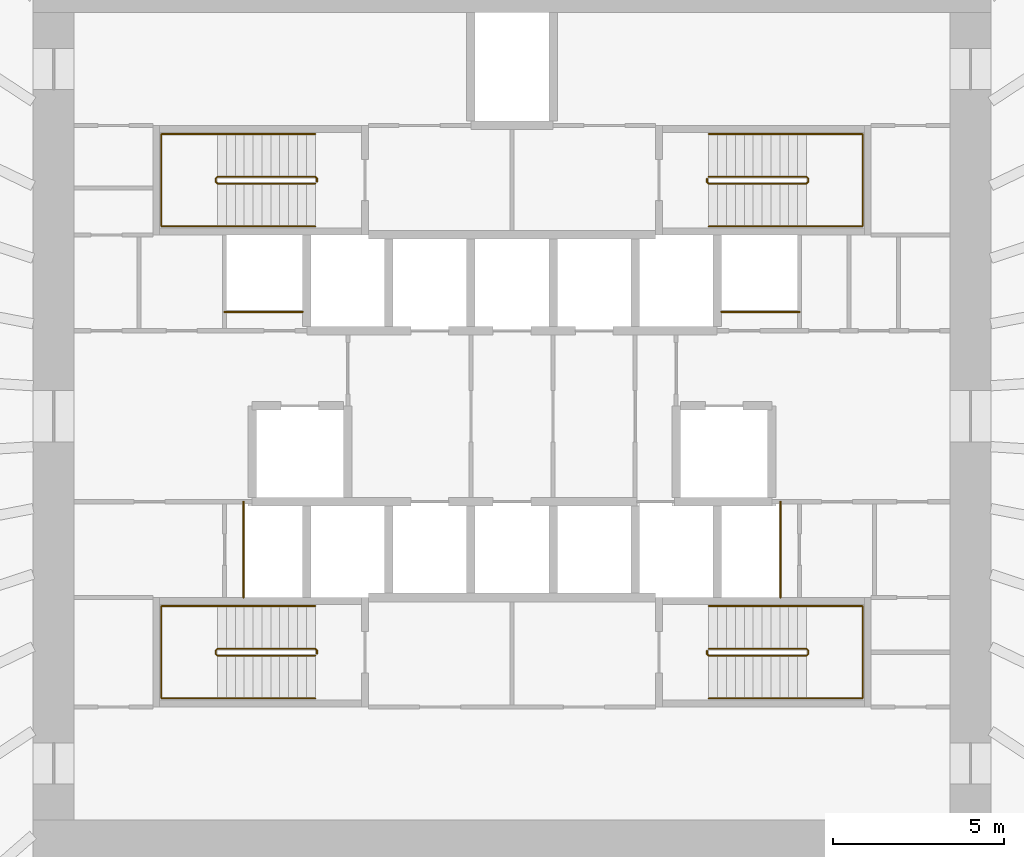
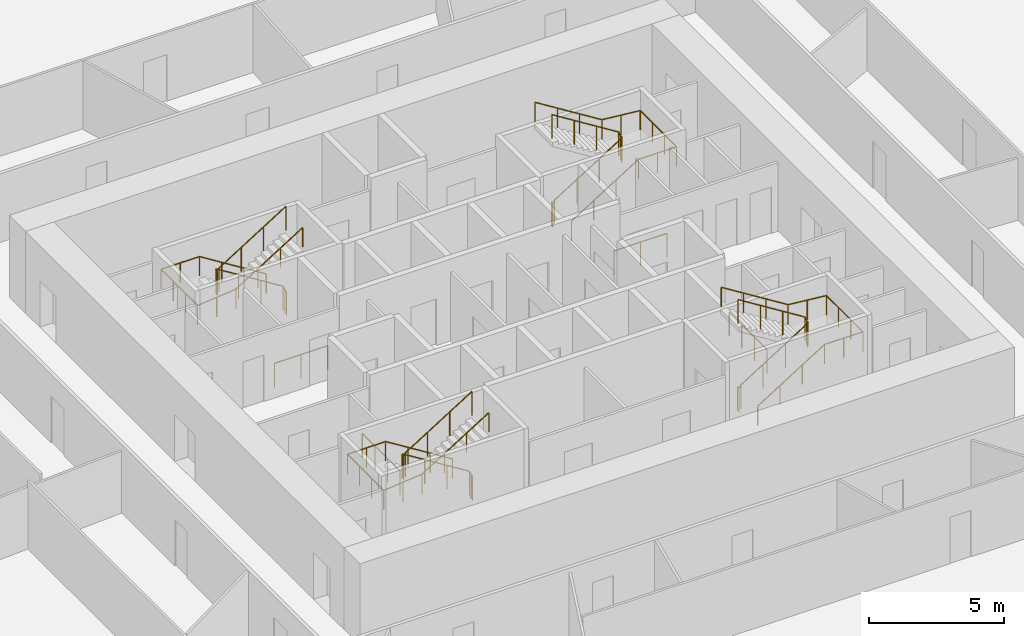
# One storey, part 10 of 10: 12 railings.
"""IFC4 building model written with IfcOpenShell, lengths in metres."""

from ifc_helpers import new_model, si_unit, direction, frame, origin, origin_2d, place, context, subcontext, project, spatial, circle, extrude, source, transform, mapped, material, type_object, element, save


model = new_model("IFC4")

# Units and contexts
model_context = context("Model", 3, precision=1e-05, world=origin(), true_north=direction((0.0, 1.0)))
body_context = subcontext(model_context, "Body", "Model", "MODEL_VIEW")
ifc_project = project(units=[si_unit("LENGTHUNIT", "METRE"), si_unit("AREAUNIT", "SQUARE_METRE"), si_unit("VOLUMEUNIT", "CUBIC_METRE"), si_unit("PLANEANGLEUNIT", "RADIAN"), si_unit("MASSUNIT", "GRAM", prefix="KILO")], contexts=[model_context])

# Site, building, storey
site_placement = place(None, origin())
site = spatial("IfcSite", under=ifc_project, at=site_placement, CompositionType="ELEMENT")
building_placement = place(site_placement, origin())
building = spatial("IfcBuilding", under=site, at=building_placement, Name="Embergate Tower", CompositionType="ELEMENT")
storey_placement = place(building_placement, frame((0.0, 0.0, 89.300048828125)))
storey = spatial("IfcBuildingStorey", under=building, at=storey_placement, Name="L18", CompositionType="ELEMENT", Elevation=89.300048828125)

# Railings
ifc_material_1 = material(Name="Stair guard 1100")
railing_type_1 = type_object("IfcRailingType", Name="Stair guard 1100", PredefinedType="GUARDRAIL", material=ifc_material_1)
shared_shape_1 = source(origin(), body_context, "Body", "SweptSolid", [
    extrude(circle(Radius=0.02392578125, at=origin_2d()), frame((0.0, 0.0, 1.076171875), z_axis=(0.0, 1.0, 0.0), x_axis=(-1.0, 0.0, 0.0)), (0.0, 0.0, 1.0), 0.099853515625),
    extrude(circle(Radius=0.02392578125, at=origin_2d()), frame((0.0, 0.099853515625, 1.076171875), z_axis=(-0.282583949758, 0.282583949758, 0.916674763849), x_axis=(-0.707106781187, -0.707106781187, 0.0)), (0.0, 0.0, 1.0), 0.177001953125),
    extrude(circle(Radius=0.02392578125, at=origin_2d()), frame((-0.050048828125, 0.14990234375, 1.23828125), z_axis=(-0.847994237388, 0.0, 0.530005446535), x_axis=(0.0, -1.0, 0.0)), (0.0, 0.0, 1.0), 3.372802734375),
    extrude(circle(Radius=0.02392578125, at=origin_2d()), frame((-2.91015625, 0.14990234375, 3.02587890625), z_axis=(-0.705375805398, -0.708833529934, 0.0), x_axis=(0.708833529934, -0.705375805398, 0.0)), (0.0, 0.0, 1.0), 0.070556640625),
    extrude(circle(Radius=0.02392578125, at=origin_2d()), frame((-2.9599609375, 0.099853515625, 3.02587890625), z_axis=(0.0, -1.0, 0.0), x_axis=(1.0, 0.0, 0.0)), (0.0, 0.0, 1.0), 0.099853515625),
    extrude(circle(Radius=0.02392578125, at=origin_2d()), frame((-2.9599609375, 0.0, 3.02587890625), z_axis=(0.280959487676, -0.282336740067, 0.917250092119), x_axis=(0.708833529934, 0.705375805398, 0.0)), (0.0, 0.0, 1.0), 0.17724609375),
    extrude(circle(Radius=0.02392578125, at=origin_2d()), frame((-2.91015625, -0.050048828125, 3.1884765625), z_axis=(0.848026770018, 0.0, 0.529953391661), x_axis=(0.0, 1.0, 0.0)), (0.0, 0.0, 1.0), 3.37255859375),
    extrude(circle(Radius=0.02099609375, at=origin_2d()), origin(), (0.0, 0.0, 1.0), 1.052001953125),
    extrude(circle(Radius=0.02099609375, at=origin_2d()), frame((0.0, 0.099853515625, 0.0)), (0.0, 0.0, 1.0), 1.052001953125),
    extrude(circle(Radius=0.02099609375, at=origin_2d()), frame((-0.050048828125, 0.14990234375, 0.162353515625)), (0.0, 0.0, 1.0), 1.052001953125),
    extrude(circle(Radius=0.02099609375, at=origin_2d()), frame((-1.00341796875, 0.14990234375, 0.75830078125)), (0.0, 0.0, 1.0), 1.052001953125),
    extrude(circle(Radius=0.02099609375, at=origin_2d()), frame((-1.956787109375, 0.14990234375, 1.35400390625)), (0.0, 0.0, 1.0), 1.052001953125),
    extrude(circle(Radius=0.02099609375, at=origin_2d()), frame((-2.91015625, 0.14990234375, 1.949951171875)), (0.0, 0.0, 1.0), 1.052001953125),
    extrude(circle(Radius=0.02099609375, at=origin_2d()), frame((-2.9599609375, 0.099853515625, 1.949951171875)), (0.0, 0.0, 1.0), 1.052001953125),
    extrude(circle(Radius=0.02099609375, at=origin_2d()), frame((-2.9599609375, 0.0, 1.949951171875)), (0.0, 0.0, 1.0), 1.052001953125),
    extrude(circle(Radius=0.02099609375, at=origin_2d()), frame((-2.91015625, -0.050048828125, 2.112548828125)), (0.0, 0.0, 1.0), 1.052001953125),
    extrude(circle(Radius=0.02099609375, at=origin_2d()), frame((-1.956787109375, -0.050048828125, 2.708251953125)), (0.0, 0.0, 1.0), 1.052001953125),
    extrude(circle(Radius=0.02099609375, at=origin_2d()), frame((-1.00341796875, -0.050048828125, 3.30419921875)), (0.0, 0.0, 1.0), 1.052001953125),
    extrude(circle(Radius=0.02099609375, at=origin_2d()), frame((-0.050048828125, -0.050048828125, 3.89990234375)), (0.0, 0.0, 1.0), 1.052001953125),
])
for number, where, name in (
    (1, (-5.699951171875, 6.85009765625, 0.0), "L18 ST1 stair guard 1"),
    (2, (-5.699951171875, -6.949951171875, 0.0), "L18 ST3 stair guard 1"),
):
    element("IfcRailing", number, at=place(storey_placement, frame(where)), inside=storey, type_object=railing_type_1, Name=name, PredefinedType="GUARDRAIL", context=body_context, shape_type="MappedRepresentation", body=[
        mapped(shared_shape_1, transform((0.0, 0.0, 0.0))),
    ])
ifc_material_2 = material(Name="Stair handrail 900")
railing_type_2 = type_object("IfcRailingType", Name="Stair handrail 900", PredefinedType="HANDRAIL", material=ifc_material_2)
shared_shape_2 = source(origin(), body_context, "Body", "SweptSolid", [
    extrude(circle(Radius=0.02392578125, at=origin_2d()), frame((0.0, 0.0, 0.8759765625), z_axis=(-0.847994237388, 0.0, 0.530005446535), x_axis=(0.0, -1.0, 0.0)), (0.0, 0.0, 1.0), 3.372802734375),
    extrude(circle(Radius=0.02392578125, at=origin_2d()), frame((-2.860107421875, 0.0, 2.66357421875), z_axis=(-1.0, 0.0, 0.0), x_axis=(0.0, -1.0, 0.0)), (0.0, 0.0, 1.0), 1.639892578125),
    extrude(circle(Radius=0.02392578125, at=origin_2d()), frame((-4.5, 0.0, 2.66357421875), z_axis=(0.0, -1.0, 0.0), x_axis=(1.0, 0.0, 0.0)), (0.0, 0.0, 1.0), 2.699951171875),
    extrude(circle(Radius=0.02392578125, at=origin_2d()), frame((-4.5, -2.699951171875, 2.66357421875), z_axis=(0.995120448088, 0.0, 0.098667592441), x_axis=(0.0, 1.0, 0.0)), (0.0, 0.0, 1.0), 1.64794921875),
    extrude(circle(Radius=0.02392578125, at=origin_2d()), frame((-2.860107421875, -2.699951171875, 2.826171875), z_axis=(0.848026770018, 0.0, 0.529953391661), x_axis=(0.0, 1.0, 0.0)), (0.0, 0.0, 1.0), 3.37255859375),
    extrude(circle(Radius=0.02099609375, at=origin_2d()), origin(), (0.0, 0.0, 1.0), 0.851806640625),
    extrude(circle(Radius=0.02099609375, at=origin_2d()), frame((-0.953369140625, 0.0, 0.595947265625)), (0.0, 0.0, 1.0), 0.851806640625),
    extrude(circle(Radius=0.02099609375, at=origin_2d()), frame((-1.90673828125, 0.0, 1.191650390625)), (0.0, 0.0, 1.0), 0.851806640625),
    extrude(circle(Radius=0.02099609375, at=origin_2d()), frame((-2.860107421875, 0.0, 1.78759765625)), (0.0, 0.0, 1.0), 0.851806640625),
    extrude(circle(Radius=0.02099609375, at=origin_2d()), frame((-3.68017578125, 0.0, 1.78759765625)), (0.0, 0.0, 1.0), 0.851806640625),
    extrude(circle(Radius=0.02099609375, at=origin_2d()), frame((-4.5, 0.0, 1.78759765625)), (0.0, 0.0, 1.0), 0.851806640625),
    extrude(circle(Radius=0.02099609375, at=origin_2d()), frame((-4.5, -0.89990234375, 1.78759765625)), (0.0, 0.0, 1.0), 0.851806640625),
    extrude(circle(Radius=0.02099609375, at=origin_2d()), frame((-4.5, -1.800048828125, 1.78759765625)), (0.0, 0.0, 1.0), 0.851806640625),
    extrude(circle(Radius=0.02099609375, at=origin_2d()), frame((-4.5, -2.699951171875, 1.78759765625)), (0.0, 0.0, 1.0), 0.851806640625),
    extrude(circle(Radius=0.02099609375, at=origin_2d()), frame((-3.68017578125, -2.699951171875, 1.868896484375)), (0.0, 0.0, 1.0), 0.851806640625),
    extrude(circle(Radius=0.02099609375, at=origin_2d()), frame((-2.860107421875, -2.699951171875, 1.9501953125)), (0.0, 0.0, 1.0), 0.851806640625),
    extrude(circle(Radius=0.02099609375, at=origin_2d()), frame((-1.90673828125, -2.699951171875, 2.5458984375)), (0.0, 0.0, 1.0), 0.851806640625),
    extrude(circle(Radius=0.02099609375, at=origin_2d()), frame((-0.953369140625, -2.699951171875, 3.141845703125)), (0.0, 0.0, 1.0), 0.851806640625),
    extrude(circle(Radius=0.02099609375, at=origin_2d()), frame((0.0, -2.699951171875, 3.737548828125)), (0.0, 0.0, 1.0), 0.851806640625),
])
for number, where, name in (
    (3, (-5.75, 8.25, 0.162353515625), "L18 ST1 stair handrail 1"),
    (4, (-5.75, -5.550048828125, 0.162353515625), "L18 ST3 stair handrail 1"),
):
    element("IfcRailing", number, at=place(storey_placement, frame(where)), inside=storey, type_object=railing_type_2, Name=name, PredefinedType="HANDRAIL", context=body_context, shape_type="MappedRepresentation", body=[
        mapped(shared_shape_2, transform((0.0, 0.0, 0.0))),
    ])
shared_shape_3 = source(origin(), body_context, "Body", "SweptSolid", [
    extrude(circle(Radius=0.02392578125, at=origin_2d()), frame((0.0, 0.0, 1.076171875), z_axis=(0.0, -1.0, 0.0), x_axis=(1.0, 0.0, 0.0)), (0.0, 0.0, 1.0), 0.099853515625),
    extrude(circle(Radius=0.02392578125, at=origin_2d()), frame((0.0, -0.099853515625, 1.076171875), z_axis=(0.282583949758, -0.282583949758, 0.916674763849), x_axis=(0.707106781187, 0.707106781187, 0.0)), (0.0, 0.0, 1.0), 0.177001953125),
    extrude(circle(Radius=0.02392578125, at=origin_2d()), frame((0.050048828125, -0.14990234375, 1.23828125), z_axis=(0.847994237388, 0.0, 0.530005446535), x_axis=(0.0, 1.0, 0.0)), (0.0, 0.0, 1.0), 3.372802734375),
    extrude(circle(Radius=0.02392578125, at=origin_2d()), frame((2.91015625, -0.14990234375, 3.02587890625), z_axis=(0.705375805398, 0.708833529934, 0.0), x_axis=(-0.708833529934, 0.705375805398, 0.0)), (0.0, 0.0, 1.0), 0.070556640625),
    extrude(circle(Radius=0.02392578125, at=origin_2d()), frame((2.9599609375, -0.099853515625, 3.02587890625), z_axis=(0.0, 1.0, 0.0), x_axis=(-1.0, 0.0, 0.0)), (0.0, 0.0, 1.0), 0.099853515625),
    extrude(circle(Radius=0.02392578125, at=origin_2d()), frame((2.9599609375, 0.0, 3.02587890625), z_axis=(-0.280959487676, 0.282336740067, 0.917250092119), x_axis=(-0.708833529934, -0.705375805398, 0.0)), (0.0, 0.0, 1.0), 0.17724609375),
    extrude(circle(Radius=0.02392578125, at=origin_2d()), frame((2.91015625, 0.050048828125, 3.1884765625), z_axis=(-0.848026770018, 0.0, 0.529953391661), x_axis=(0.0, -1.0, 0.0)), (0.0, 0.0, 1.0), 3.37255859375),
    extrude(circle(Radius=0.02099609375, at=origin_2d()), origin(), (0.0, 0.0, 1.0), 1.052001953125),
    extrude(circle(Radius=0.02099609375, at=origin_2d()), frame((0.0, -0.099853515625, 0.0)), (0.0, 0.0, 1.0), 1.052001953125),
    extrude(circle(Radius=0.02099609375, at=origin_2d()), frame((0.050048828125, -0.14990234375, 0.162353515625)), (0.0, 0.0, 1.0), 1.052001953125),
    extrude(circle(Radius=0.02099609375, at=origin_2d()), frame((1.00341796875, -0.14990234375, 0.75830078125)), (0.0, 0.0, 1.0), 1.052001953125),
    extrude(circle(Radius=0.02099609375, at=origin_2d()), frame((1.956787109375, -0.14990234375, 1.35400390625)), (0.0, 0.0, 1.0), 1.052001953125),
    extrude(circle(Radius=0.02099609375, at=origin_2d()), frame((2.91015625, -0.14990234375, 1.949951171875)), (0.0, 0.0, 1.0), 1.052001953125),
    extrude(circle(Radius=0.02099609375, at=origin_2d()), frame((2.9599609375, -0.099853515625, 1.949951171875)), (0.0, 0.0, 1.0), 1.052001953125),
    extrude(circle(Radius=0.02099609375, at=origin_2d()), frame((2.9599609375, 0.0, 1.949951171875)), (0.0, 0.0, 1.0), 1.052001953125),
    extrude(circle(Radius=0.02099609375, at=origin_2d()), frame((2.91015625, 0.050048828125, 2.112548828125)), (0.0, 0.0, 1.0), 1.052001953125),
    extrude(circle(Radius=0.02099609375, at=origin_2d()), frame((1.956787109375, 0.050048828125, 2.708251953125)), (0.0, 0.0, 1.0), 1.052001953125),
    extrude(circle(Radius=0.02099609375, at=origin_2d()), frame((1.00341796875, 0.050048828125, 3.30419921875)), (0.0, 0.0, 1.0), 1.052001953125),
    extrude(circle(Radius=0.02099609375, at=origin_2d()), frame((0.050048828125, 0.050048828125, 3.89990234375)), (0.0, 0.0, 1.0), 1.052001953125),
])
for number, where, name in (
    (5, (5.699951171875, 6.949951171875, 0.0), "L18 ST2 stair guard 1"),
    (6, (5.699951171875, -6.85009765625, 0.0), "L18 ST4 stair guard 1"),
):
    element("IfcRailing", number, at=place(storey_placement, frame(where)), inside=storey, type_object=railing_type_1, Name=name, PredefinedType="GUARDRAIL", context=body_context, shape_type="MappedRepresentation", body=[
        mapped(shared_shape_3, transform((0.0, 0.0, 0.0))),
    ])
shared_shape_4 = source(origin(), body_context, "Body", "SweptSolid", [
    extrude(circle(Radius=0.02392578125, at=origin_2d()), frame((0.0, 0.0, 0.8759765625), z_axis=(0.847994237388, 0.0, 0.530005446535), x_axis=(0.0, 1.0, 0.0)), (0.0, 0.0, 1.0), 3.372802734375),
    extrude(circle(Radius=0.02392578125, at=origin_2d()), frame((2.860107421875, 0.0, 2.66357421875), z_axis=(1.0, 0.0, 0.0), x_axis=(0.0, 1.0, 0.0)), (0.0, 0.0, 1.0), 1.639892578125),
    extrude(circle(Radius=0.02392578125, at=origin_2d()), frame((4.5, 0.0, 2.66357421875), z_axis=(0.0, 1.0, 0.0), x_axis=(-1.0, 0.0, 0.0)), (0.0, 0.0, 1.0), 2.699951171875),
    extrude(circle(Radius=0.02392578125, at=origin_2d()), frame((4.5, 2.699951171875, 2.66357421875), z_axis=(-0.995120448088, 0.0, 0.098667592441), x_axis=(0.0, -1.0, 0.0)), (0.0, 0.0, 1.0), 1.64794921875),
    extrude(circle(Radius=0.02392578125, at=origin_2d()), frame((2.860107421875, 2.699951171875, 2.826171875), z_axis=(-0.848026770018, 0.0, 0.529953391661), x_axis=(0.0, -1.0, 0.0)), (0.0, 0.0, 1.0), 3.37255859375),
    extrude(circle(Radius=0.02099609375, at=origin_2d()), origin(), (0.0, 0.0, 1.0), 0.851806640625),
    extrude(circle(Radius=0.02099609375, at=origin_2d()), frame((0.953369140625, 0.0, 0.595947265625)), (0.0, 0.0, 1.0), 0.851806640625),
    extrude(circle(Radius=0.02099609375, at=origin_2d()), frame((1.90673828125, 0.0, 1.191650390625)), (0.0, 0.0, 1.0), 0.851806640625),
    extrude(circle(Radius=0.02099609375, at=origin_2d()), frame((2.860107421875, 0.0, 1.78759765625)), (0.0, 0.0, 1.0), 0.851806640625),
    extrude(circle(Radius=0.02099609375, at=origin_2d()), frame((3.68017578125, 0.0, 1.78759765625)), (0.0, 0.0, 1.0), 0.851806640625),
    extrude(circle(Radius=0.02099609375, at=origin_2d()), frame((4.5, 0.0, 1.78759765625)), (0.0, 0.0, 1.0), 0.851806640625),
    extrude(circle(Radius=0.02099609375, at=origin_2d()), frame((4.5, 0.89990234375, 1.78759765625)), (0.0, 0.0, 1.0), 0.851806640625),
    extrude(circle(Radius=0.02099609375, at=origin_2d()), frame((4.5, 1.800048828125, 1.78759765625)), (0.0, 0.0, 1.0), 0.851806640625),
    extrude(circle(Radius=0.02099609375, at=origin_2d()), frame((4.5, 2.699951171875, 1.78759765625)), (0.0, 0.0, 1.0), 0.851806640625),
    extrude(circle(Radius=0.02099609375, at=origin_2d()), frame((3.68017578125, 2.699951171875, 1.868896484375)), (0.0, 0.0, 1.0), 0.851806640625),
    extrude(circle(Radius=0.02099609375, at=origin_2d()), frame((2.860107421875, 2.699951171875, 1.9501953125)), (0.0, 0.0, 1.0), 0.851806640625),
    extrude(circle(Radius=0.02099609375, at=origin_2d()), frame((1.90673828125, 2.699951171875, 2.5458984375)), (0.0, 0.0, 1.0), 0.851806640625),
    extrude(circle(Radius=0.02099609375, at=origin_2d()), frame((0.953369140625, 2.699951171875, 3.141845703125)), (0.0, 0.0, 1.0), 0.851806640625),
    extrude(circle(Radius=0.02099609375, at=origin_2d()), frame((0.0, 2.699951171875, 3.737548828125)), (0.0, 0.0, 1.0), 0.851806640625),
])
for number, where, name in (
    (7, (5.75, 5.550048828125, 0.162353515625), "L18 ST2 stair handrail 1"),
    (8, (5.75, -8.25, 0.162353515625), "L18 ST4 stair handrail 1"),
):
    element("IfcRailing", number, at=place(storey_placement, frame(where)), inside=storey, type_object=railing_type_2, Name=name, PredefinedType="HANDRAIL", context=body_context, shape_type="MappedRepresentation", body=[
        mapped(shared_shape_4, transform((0.0, 0.0, 0.0))),
    ])
ifc_material_3 = material(Name="Opening guard 1100")
railing_type_3 = type_object("IfcRailingType", Name="Opening guard 1100", PredefinedType="GUARDRAIL", material=ifc_material_3)
shared_shape_5 = source(origin(), body_context, "Body", "SweptSolid", [
    extrude(circle(Radius=0.02392578125, at=origin_2d()), frame((0.0, 0.0, 1.076171875), z_axis=(1.0, 0.0, 0.0), x_axis=(0.0, 1.0, 0.0)), (0.0, 0.0, 1.0), 2.27490234375),
    extrude(circle(Radius=0.02099609375, at=origin_2d()), origin(), (0.0, 0.0, 1.0), 1.052001953125),
    extrude(circle(Radius=0.02099609375, at=origin_2d()), frame((1.137451171875, 0.0, 0.0)), (0.0, 0.0, 1.0), 1.052001953125),
    extrude(circle(Radius=0.02099609375, at=origin_2d()), frame((2.27490234375, 0.0, 0.0)), (0.0, 0.0, 1.0), 1.052001953125),
])
for number, where, name in (
    (9, (-8.39990234375, 3.050048828125, 0.0), "Riser opening guard"),
    (10, (6.125, 3.050048828125, 0.0), "Riser opening guard"),
):
    element("IfcRailing", number, at=place(storey_placement, frame(where)), inside=storey, type_object=railing_type_3, Name=name, PredefinedType="GUARDRAIL", context=body_context, shape_type="MappedRepresentation", body=[
        mapped(shared_shape_5, transform((0.0, 0.0, 0.0))),
    ])
shared_shape_6 = source(origin(), body_context, "Body", "SweptSolid", [
    extrude(circle(Radius=0.02392578125, at=origin_2d()), frame((0.0, 0.0, 1.076171875), z_axis=(0.0, 1.0, 0.0), x_axis=(-1.0, 0.0, 0.0)), (0.0, 0.0, 1.0), 2.800048828125),
    extrude(circle(Radius=0.02099609375, at=origin_2d()), origin(), (0.0, 0.0, 1.0), 1.052001953125),
    extrude(circle(Radius=0.02099609375, at=origin_2d()), frame((0.0, 0.933349609375, 0.0)), (0.0, 0.0, 1.0), 1.052001953125),
    extrude(circle(Radius=0.02099609375, at=origin_2d()), frame((0.0, 1.86669921875, 0.0)), (0.0, 0.0, 1.0), 1.052001953125),
    extrude(circle(Radius=0.02099609375, at=origin_2d()), frame((0.0, 2.800048828125, 0.0)), (0.0, 0.0, 1.0), 1.052001953125),
])
for number, where, name in (
    (11, (-7.85009765625, -5.300048828125, 0.0), "Riser opening guard"),
    (12, (7.85009765625, -5.300048828125, 0.0), "Riser opening guard"),
):
    element("IfcRailing", number, at=place(storey_placement, frame(where)), inside=storey, type_object=railing_type_3, Name=name, PredefinedType="GUARDRAIL", context=body_context, shape_type="MappedRepresentation", body=[
        mapped(shared_shape_6, transform((0.0, 0.0, 0.0))),
    ])

save(model, "model.ifc")
